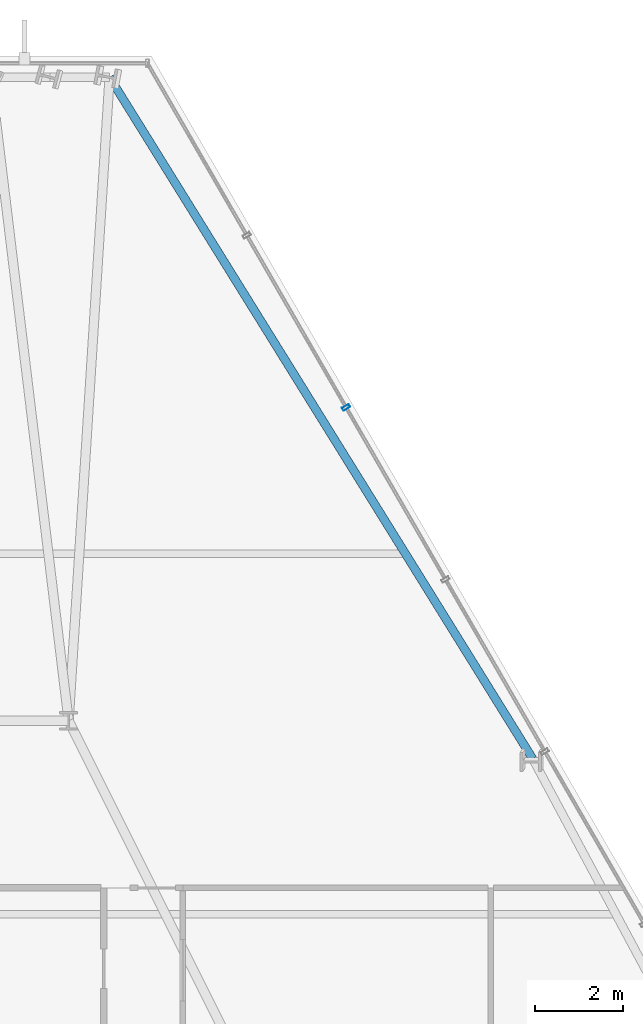
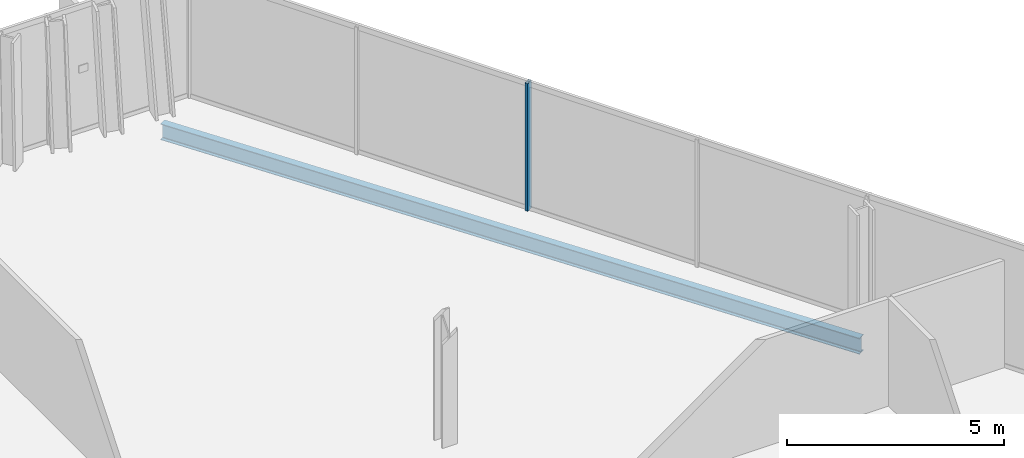
# One storey, part 24 of 32: 1 beam, 1 member, 1 element without a shape of its own.
"""IFC4 building model written with IfcOpenShell, lengths in metres."""

from ifc_helpers import new_model, si_unit, direction, frame, origin, origin_2d, place, context, subcontext, project, spatial, hollow_rectangle, i_section, extrude, material, layer, layer_set, material_profile, profile_set, type_object, element, aggregate, save


model = new_model("IFC4")

# Units and contexts
model_context = context("Model", 3, precision=1e-05, world=origin(), true_north=direction((0.0, 1.0)))
body_context = subcontext(model_context, "Body", "Model", "MODEL_VIEW")
ifc_project = project(units=[si_unit("LENGTHUNIT", "METRE"), si_unit("AREAUNIT", "SQUARE_METRE"), si_unit("VOLUMEUNIT", "CUBIC_METRE"), si_unit("PLANEANGLEUNIT", "RADIAN"), si_unit("MASSUNIT", "GRAM", prefix="KILO")], contexts=[model_context])

# Site, building, storey
site_placement = place(None, origin())
site = spatial("IfcSite", under=ifc_project, at=site_placement, CompositionType="ELEMENT")
building_placement = place(site_placement, origin())
building = spatial("IfcBuilding", under=site, at=building_placement, Name="Ndaravel Arena Tower", CompositionType="ELEMENT")
storey_placement = place(building_placement, frame((0.0, 0.0, 157.39990234375)))
storey = spatial("IfcBuildingStorey", under=building, at=storey_placement, Name="L37", CompositionType="ELEMENT", Elevation=157.39990234375)

# Beam
ifc_material_1 = material(Name="Steel S355", Category="steel")
ifc_material_profile_1 = material_profile(ifc_material_1, i_section(OverallWidth=0.18994140625, OverallDepth=0.449951171875, WebThickness=0.009521484375, FlangeThickness=0.0146484375, FilletRadius=0.02099609375, at=origin_2d()), Name="IPE 450")
ifc_profile_set_1 = profile_set([ifc_material_profile_1], Name="Steel S355")
beam_type = type_object("IfcBeamType", Name="BM-SPAN-IPE450", PredefinedType="SPANDREL", material=ifc_profile_set_1)
beam_placement = place(storey_placement, frame((56.352783203125, 30.339599609375, -0.44482421875), z_axis=(-0.52754211898, 0.849528876909, 0.0), x_axis=(-0.849528876909, -0.52754211898, 0.0)))
element("IfcBeam", 1, at=beam_placement, inside=storey, type_object=beam_type, Name="L37 Perimeter Spandrel Beam SP-10", PredefinedType="SPANDREL", context=body_context, shape_type="SweptSolid", body=[
    extrude(i_section(OverallWidth=0.18994140625, OverallDepth=0.449951171875, WebThickness=0.009521484375, FlangeThickness=0.0146484375, FilletRadius=0.02099609375, at=origin_2d()), origin(), (0.0, 0.0, 1.0), 18.238525390625),
])

# Curtain wall, member
ifc_material_2 = material(Name="Aluminium", Category="aluminium")
ifc_layer = layer(ifc_material_2, 0.179931640625)
ifc_layer_set = layer_set([ifc_layer], Name="Aluminium")
curtain_wall_type = type_object("IfcCurtainWallType", Name="CW-SYS-03", PredefinedType="NOTDEFINED", material=ifc_layer_set)
curtain_wall_placement = place(storey_placement, origin())
curtain_wall = element("IfcCurtainWall", 2, at=curtain_wall_placement, inside=storey, type_object=curtain_wall_type, Name="L37 Faceted Crystal Curtain Wall CW-L37-E03", PredefinedType="NOTDEFINED")
ifc_material_3 = material(Name="Aluminium", Category="aluminium")
ifc_material_profile_2 = material_profile(ifc_material_3, hollow_rectangle(XDim=0.074951171875, YDim=0.179931640625, WallThickness=0.00390625, at=origin_2d()), Name="CW MULLION 75x180x4")
ifc_profile_set_2 = profile_set([ifc_material_profile_2], Name="Aluminium")
member_type = type_object("IfcMemberType", Name="MEM-CW-MUL180", PredefinedType="MULLION", material=ifc_profile_set_2)
member_placement = place(storey_placement, frame((52.11083984375, 38.32666015625, 0.0), z_axis=(0.0, 0.0, 1.0), x_axis=(-0.5, 0.866025403784, 0.0)))
member = element("IfcMember", 3, at=member_placement, type_object=member_type, Name="CW-L37-E03 Mullion 06", PredefinedType="MULLION", context=body_context, shape_type="SweptSolid", body=[
    extrude(hollow_rectangle(XDim=0.074951171875, YDim=0.179931640625, WallThickness=0.00390625, at=origin_2d()), origin(), (0.0, 0.0, 1.0), 3.580078125),
])
aggregate(curtain_wall, [member])

save(model, "model.ifc")
